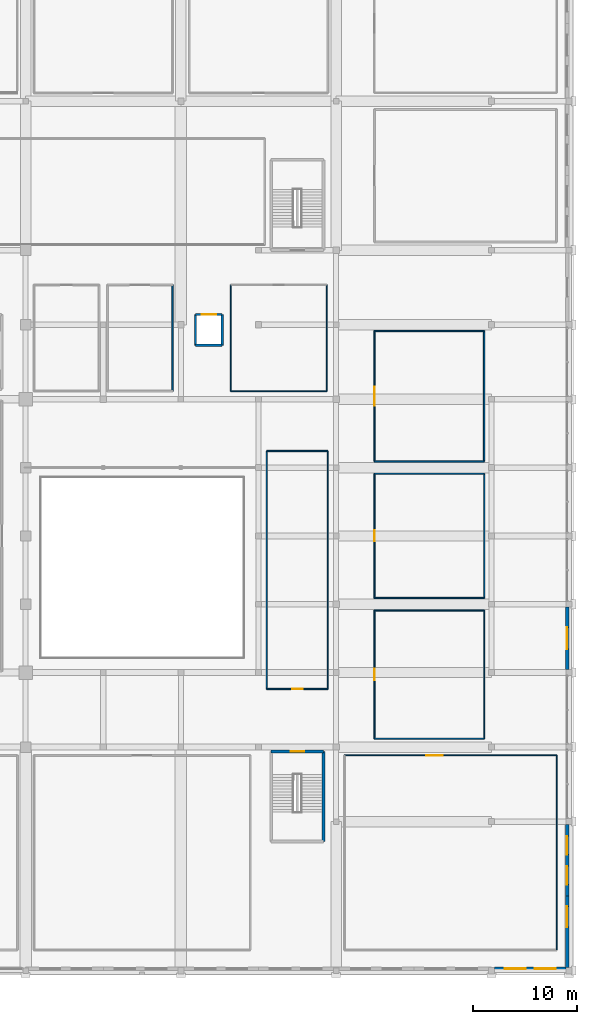
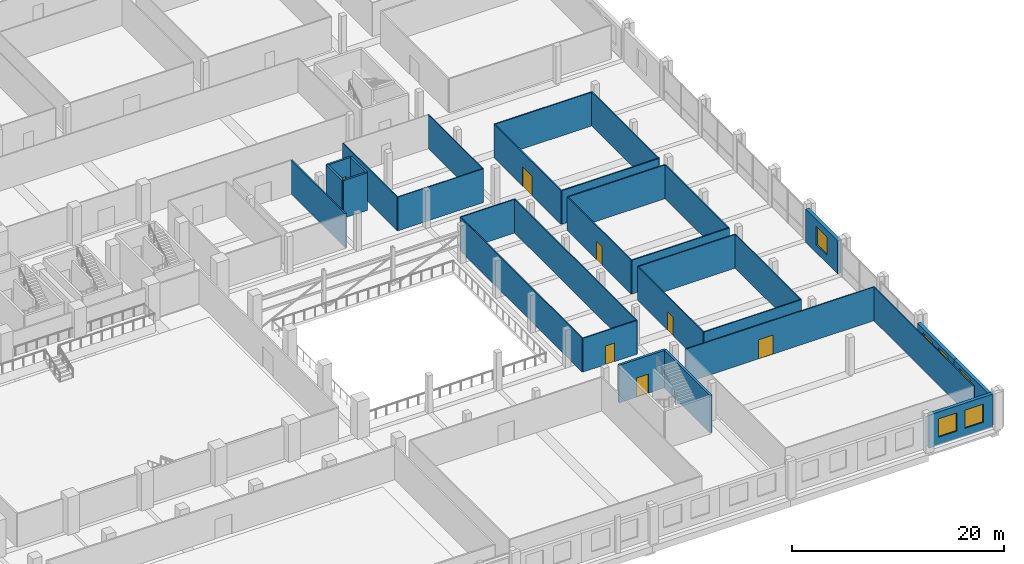
# One storey, part 53 of 68: 32 walls, 7 doors, 6 windows, 13 openings.
"""IFC4 building model written with IfcOpenShell, lengths in metres."""

from ifc_helpers import new_model, si_unit, direction, frame, frame_2d, origin, place, context, subcontext, project, spatial, rectangle, extrude, material, layer, layer_set, type_object, element, fill, save


model = new_model("IFC4")

# Units and contexts
model_context = context("Model", 3, precision=1e-05, world=origin(), true_north=direction((0.0, 1.0)))
body_context = subcontext(model_context, "Body", "Model", "MODEL_VIEW")
ifc_project = project(units=[si_unit("LENGTHUNIT", "METRE"), si_unit("AREAUNIT", "SQUARE_METRE"), si_unit("VOLUMEUNIT", "CUBIC_METRE"), si_unit("PLANEANGLEUNIT", "RADIAN"), si_unit("MASSUNIT", "GRAM", prefix="KILO")], contexts=[model_context])

# Site, building, storey
site_placement = place(None, origin())
site = spatial("IfcSite", under=ifc_project, at=site_placement, CompositionType="ELEMENT")
building_placement = place(site_placement, origin())
building = spatial("IfcBuilding", under=site, at=building_placement, Name="Akrevak Sports Hall", CompositionType="ELEMENT")
storey_placement = place(building_placement, frame((0.0, 0.0, 9.39990234375)))
storey = spatial("IfcBuildingStorey", under=building, at=storey_placement, Name="L02", CompositionType="ELEMENT", Elevation=9.39990234375)

# Wall, openings, windows
ifc_material_1 = material(Name="Limestone Ashlar", Category="stone")
ifc_layer_1 = layer(ifc_material_1, 0.080078125, Name="Limestone Ashlar")
ifc_material_2 = material(Name="Mineral Wool Thermal Insulation", Category="insulation")
ifc_layer_2 = layer(ifc_material_2, 0.10009765625, Name="Mineral Wool Thermal Insulation")
ifc_material_3 = material(Name="Concrete C40/50", Category="concrete")
ifc_layer_3 = layer(ifc_material_3, 0.179931640625, Name="Concrete C40/50")
ifc_layer_set_1 = layer_set([ifc_layer_1, ifc_layer_2, ifc_layer_3], Name="Limestone Ashlar / Mineral Wool Thermal Insulation / Concrete C40/50")
wall_type_1 = type_object("IfcWallType", Name="ARC-WL-EXT-360", PredefinedType="SOLIDWALL", material=ifc_layer_set_1)
wall_1_placement = place(storey_placement, frame((160.800048828125, 0.179931640625, 0.0), z_axis=(0.0, 0.0, 1.0), x_axis=(1.0, 0.0, 0.0)))
wall_1 = element("IfcWall", 1, at=wall_1_placement, inside=storey, type_object=wall_type_1, Name="Exterior Limestone Wall L02-S20", PredefinedType="SOLIDWALL", context=body_context, shape_type="SweptSolid", body=[
    extrude(rectangle(XDim=6.89990234375, YDim=0.360107421875, at=frame_2d((3.449951171875, 0.0))), origin(), (0.0, 0.0, 1.0), 3.820068359375),
])
opening_1_placement = place(wall_1_placement, frame((1.0009765625, 0.0, 0.919921875)))
opening_1 = element("IfcOpeningElement", 2, at=opening_1_placement, cuts=wall_1, Name="Opening WN-36", PredefinedType="OPENING", context=body_context, shape_type="SweptSolid", body=[
    extrude(rectangle(XDim=2.0, YDim=2.10009765625, at=frame_2d((1.0, 1.050048828125))), frame((0.0, 0.19189453125, 0.0), z_axis=(0.0, -1.0, 0.0), x_axis=(1.0, 0.0, 0.0)), (0.0, 0.0, 1.0), 0.384033203125),
])
opening_2_placement = place(wall_1_placement, frame((3.89892578125, 0.0, 0.919921875)))
opening_2 = element("IfcOpeningElement", 3, at=opening_2_placement, cuts=wall_1, Name="Opening WN-36", PredefinedType="OPENING", context=body_context, shape_type="SweptSolid", body=[
    extrude(rectangle(XDim=2.0, YDim=2.10009765625, at=frame_2d((1.0, 1.050048828125))), frame((0.0, 0.19189453125, 0.0), z_axis=(0.0, -1.0, 0.0), x_axis=(1.0, 0.0, 0.0)), (0.0, 0.0, 1.0), 0.384033203125),
])
ifc_material_4 = material(Name="Thermally Broken Bronze Frame & Double Low-E Glass", Category="glass")
window_type_1 = type_object("IfcWindowType", Name="ARC-WIN-SZ-2000x2100", PartitioningType="SINGLE_PANEL", PredefinedType="WINDOW", material=ifc_material_4)
window_1_placement = place(opening_1_placement, origin())
window_1 = element("IfcWindow", 4, at=window_1_placement, inside=storey, type_object=window_type_1, Name="Beaux-Arts Facade Window WIN-L02-S20-1", OverallHeight=2.10009765625, OverallWidth=2.0, PartitioningType="SINGLE_PANEL", PredefinedType="WINDOW", context=body_context, shape_type="SweptSolid", body=[
    extrude(rectangle(XDim=2.0, YDim=2.10009765625, at=frame_2d((1.0, 1.050048828125))), frame((0.0, 0.030029296875, 0.0), z_axis=(0.0, -1.0, 0.0), x_axis=(1.0, 0.0, 0.0)), (0.0, 0.0, 1.0), 0.06005859375),
])
fill(opening_1, window_1)
window_2_placement = place(opening_2_placement, origin())
window_2 = element("IfcWindow", 5, at=window_2_placement, inside=storey, type_object=window_type_1, Name="Beaux-Arts Facade Window WIN-L02-S20-2", OverallHeight=2.10009765625, OverallWidth=2.0, PartitioningType="SINGLE_PANEL", PredefinedType="WINDOW", context=body_context, shape_type="SweptSolid", body=[
    extrude(rectangle(XDim=2.0, YDim=2.10009765625, at=frame_2d((1.0, 1.050048828125))), frame((0.0, 0.030029296875, 0.0), z_axis=(0.0, -1.0, 0.0), x_axis=(1.0, 0.0, 0.0)), (0.0, 0.0, 1.0), 0.06005859375),
])
fill(opening_2, window_2)

# Wall, opening, window
wall_2_placement = place(storey_placement, frame((167.820068359375, 0.300048828125, 0.0), z_axis=(0.0, 0.0, 1.0), x_axis=(0.0, 1.0, 0.0)))
wall_2 = element("IfcWall", 6, at=wall_2_placement, inside=storey, type_object=wall_type_1, Name="Exterior Limestone Wall L02-E01", PredefinedType="SOLIDWALL", context=body_context, shape_type="SweptSolid", body=[
    extrude(rectangle(XDim=6.89990234375, YDim=0.360107421875, at=frame_2d((3.449951171875, 0.0))), origin(), (0.0, 0.0, 1.0), 3.4501953125),
])
opening_3_placement = place(wall_2_placement, frame((3.89892578125, 0.0, 0.919921875)))
opening_3 = element("IfcOpeningElement", 7, at=opening_3_placement, cuts=wall_2, Name="Opening WN-36", PredefinedType="OPENING", context=body_context, shape_type="SweptSolid", body=[
    extrude(rectangle(XDim=2.0, YDim=2.10009765625, at=frame_2d((1.0, 1.050048828125))), frame((0.0, 0.19189453125, 0.0), z_axis=(0.0, -1.0, 0.0), x_axis=(1.0, 0.0, 0.0)), (0.0, 0.0, 1.0), 0.384033203125),
])
window_3_placement = place(opening_3_placement, origin())
window_3 = element("IfcWindow", 8, at=window_3_placement, inside=storey, type_object=window_type_1, Name="Beaux-Arts Facade Window WIN-L02-E01-2", OverallHeight=2.10009765625, OverallWidth=2.0, PartitioningType="SINGLE_PANEL", PredefinedType="WINDOW", context=body_context, shape_type="SweptSolid", body=[
    extrude(rectangle(XDim=2.0, YDim=2.10009765625, at=frame_2d((1.0, 1.050048828125))), frame((0.0, 0.030029296875, 0.0), z_axis=(0.0, -1.0, 0.0), x_axis=(1.0, 0.0, 0.0)), (0.0, 0.0, 1.0), 0.06005859375),
])
fill(opening_3, window_3)

# Wall, openings, windows
wall_3_placement = place(storey_placement, frame((167.820068359375, 7.199951171875, 0.0), z_axis=(0.0, 0.0, 1.0), x_axis=(0.0, 1.0, 0.0)))
wall_3 = element("IfcWall", 9, at=wall_3_placement, inside=storey, type_object=wall_type_1, Name="Exterior Limestone Wall L02-E02", PredefinedType="SOLIDWALL", context=body_context, shape_type="SweptSolid", body=[
    extrude(rectangle(XDim=6.900146484375, YDim=0.360107421875, at=frame_2d((3.4501953125, 0.0))), origin(), (0.0, 0.0, 1.0), 3.4501953125),
])
opening_4_placement = place(wall_3_placement, frame((1.10107421875, 0.0, 0.919921875)))
opening_4 = element("IfcOpeningElement", 10, at=opening_4_placement, cuts=wall_3, Name="Opening WN-37", PredefinedType="OPENING", context=body_context, shape_type="SweptSolid", body=[
    extrude(rectangle(XDim=1.800048828125, YDim=2.10009765625, at=frame_2d((0.89990234375, 1.050048828125))), frame((0.0, 0.19189453125, 0.0), z_axis=(0.0, -1.0, 0.0), x_axis=(1.0, 0.0, 0.0)), (0.0, 0.0, 1.0), 0.384033203125),
])
opening_5_placement = place(wall_3_placement, frame((3.9990234375, 0.0, 0.919921875)))
opening_5 = element("IfcOpeningElement", 11, at=opening_5_placement, cuts=wall_3, Name="Opening WN-37", PredefinedType="OPENING", context=body_context, shape_type="SweptSolid", body=[
    extrude(rectangle(XDim=1.800048828125, YDim=2.10009765625, at=frame_2d((0.89990234375, 1.050048828125))), frame((0.0, 0.19189453125, 0.0), z_axis=(0.0, -1.0, 0.0), x_axis=(1.0, 0.0, 0.0)), (0.0, 0.0, 1.0), 0.384033203125),
])
window_type_2 = type_object("IfcWindowType", Name="ARC-WIN-SZ-1800x2100", PartitioningType="SINGLE_PANEL", PredefinedType="WINDOW", material=ifc_material_4)
window_4_placement = place(opening_4_placement, origin())
window_4 = element("IfcWindow", 12, at=window_4_placement, inside=storey, type_object=window_type_2, Name="Beaux-Arts Facade Window WIN-L02-E02-1", OverallHeight=2.10009765625, OverallWidth=1.800048828125, PartitioningType="SINGLE_PANEL", PredefinedType="WINDOW", context=body_context, shape_type="SweptSolid", body=[
    extrude(rectangle(XDim=1.800048828125, YDim=2.10009765625, at=frame_2d((0.89990234375, 1.050048828125))), frame((0.0, 0.030029296875, 0.0), z_axis=(0.0, -1.0, 0.0), x_axis=(1.0, 0.0, 0.0)), (0.0, 0.0, 1.0), 0.06005859375),
])
fill(opening_4, window_4)
window_5_placement = place(opening_5_placement, origin())
window_5 = element("IfcWindow", 13, at=window_5_placement, inside=storey, type_object=window_type_2, Name="Beaux-Arts Facade Window WIN-L02-E02-2", OverallHeight=2.10009765625, OverallWidth=1.800048828125, PartitioningType="SINGLE_PANEL", PredefinedType="WINDOW", context=body_context, shape_type="SweptSolid", body=[
    extrude(rectangle(XDim=1.800048828125, YDim=2.10009765625, at=frame_2d((0.89990234375, 1.050048828125))), frame((0.0, 0.030029296875, 0.0), z_axis=(0.0, -1.0, 0.0), x_axis=(1.0, 0.0, 0.0)), (0.0, 0.0, 1.0), 0.06005859375),
])
fill(opening_5, window_5)

# Wall, opening, window
wall_4_placement = place(storey_placement, frame((167.820068359375, 29.10009765625, 0.0), z_axis=(0.0, 0.0, 1.0), x_axis=(0.0, 1.0, 0.0)))
wall_4 = element("IfcWall", 14, at=wall_4_placement, inside=storey, type_object=wall_type_1, Name="Exterior Limestone Wall L02-E05", PredefinedType="SOLIDWALL", context=body_context, shape_type="SweptSolid", body=[
    extrude(rectangle(XDim=6.02490234375, YDim=0.360107421875, at=frame_2d((3.012451171875, 0.0))), origin(), (0.0, 0.0, 1.0), 3.820068359375),
])
opening_6_placement = place(wall_4_placement, frame((1.96240234375, 0.0, 0.919921875)))
opening_6 = element("IfcOpeningElement", 15, at=opening_6_placement, cuts=wall_4, Name="Opening WN-40", PredefinedType="OPENING", context=body_context, shape_type="SweptSolid", body=[
    extrude(rectangle(XDim=2.10009765625, YDim=2.10009765625, at=frame_2d((1.050048828125, 1.050048828125))), frame((0.0, 0.19189453125, 0.0), z_axis=(0.0, -1.0, 0.0), x_axis=(1.0, 0.0, 0.0)), (0.0, 0.0, 1.0), 0.384033203125),
])
window_type_3 = type_object("IfcWindowType", Name="ARC-WIN-SZ-2100x2100", PartitioningType="SINGLE_PANEL", PredefinedType="WINDOW", material=ifc_material_4)
window_6_placement = place(opening_6_placement, origin())
window_6 = element("IfcWindow", 16, at=window_6_placement, inside=storey, type_object=window_type_3, Name="Beaux-Arts Facade Window WIN-L02-E05", OverallHeight=2.10009765625, OverallWidth=2.10009765625, PartitioningType="SINGLE_PANEL", PredefinedType="WINDOW", context=body_context, shape_type="SweptSolid", body=[
    extrude(rectangle(XDim=2.10009765625, YDim=2.10009765625, at=frame_2d((1.050048828125, 1.050048828125))), frame((0.0, 0.030029296875, 0.0), z_axis=(0.0, -1.0, 0.0), x_axis=(1.0, 0.0, 0.0)), (0.0, 0.0, 1.0), 0.06005859375),
])
fill(opening_6, window_6)

# Walls
ifc_material_5 = material(Name="Sanitary Cubicle Partition", Category="gypsum")
ifc_layer_4 = layer(ifc_material_5, 0.10009765625, Name="Sanitary Cubicle Partition")
ifc_layer_set_2 = layer_set([ifc_layer_4], Name="Sanitary Cubicle Partition")
wall_type_2 = type_object("IfcWallType", Name="ARC-WL-PRT-100", PredefinedType="PARTITIONING", material=ifc_layer_set_2)
wall_5_placement = place(storey_placement, frame((135.300048828125, 56.0, 0.0), z_axis=(0.0, 0.0, 1.0), x_axis=(1.0, 0.0, 0.0)))
element("IfcWall", 17, at=wall_5_placement, inside=storey, type_object=wall_type_2, Name="Interior Partition Match Delegates & Referees Office L02 (S)", PredefinedType="PARTITIONING", context=body_context, shape_type="SweptSolid", body=[
    extrude(rectangle(XDim=9.300048828125, YDim=0.10009765625, at=frame_2d((4.64990234375, 0.0))), origin(), (0.0, 0.0, 1.0), 3.880126953125),
])
for number, where, z_axis, x_axis, name in (
    (18, (135.300048828125, 56.0, 0.0), (0.0, 0.0, 1.0), (0.0, 1.0, 0.0), "Interior Partition Match Delegates & Referees Office L02 (W)"),
    (19, (144.60009765625, 56.0, 0.0), (0.0, 0.0, 1.0), (0.0, 1.0, 0.0), "Interior Partition Match Delegates & Referees Office L02 (E)"),
):
    element("IfcWall", number, at=place(storey_placement, frame(where, z_axis=z_axis, x_axis=x_axis)), inside=storey, type_object=wall_type_2, Name=name, PredefinedType="PARTITIONING", context=body_context, shape_type="SweptSolid", body=[
        extrude(rectangle(XDim=10.25, YDim=0.10009765625, at=frame_2d((5.125, 0.0))), origin(), (0.0, 0.0, 1.0), 3.880126953125),
    ])
ifc_material_6 = material(Name="Lightweight Office Partition", Category="gypsum")
ifc_layer_5 = layer(ifc_material_6, 0.110107421875, Name="Lightweight Office Partition")
ifc_layer_set_3 = layer_set([ifc_layer_5], Name="Lightweight Office Partition")
wall_type_3 = type_object("IfcWallType", Name="ARC-WL-PRT-110", PredefinedType="PARTITIONING", material=ifc_layer_set_3)
for number, where, z_axis, x_axis, name in (
    (20, (149.199951171875, 22.39990234375, 0.0), (0.0, 0.0, 1.0), (1.0, 0.0, 0.0), "Interior Partition East Wing Sports Physiotherapy Room L02-1 (S)"),
    (21, (149.199951171875, 34.800048828125, 0.0), (0.0, 0.0, 1.0), (1.0, 0.0, 0.0), "Interior Partition East Wing Sports Physiotherapy Room L02-1 (N)"),
):
    element("IfcWall", number, at=place(storey_placement, frame(where, z_axis=z_axis, x_axis=x_axis)), inside=storey, type_object=wall_type_3, Name=name, PredefinedType="PARTITIONING", context=body_context, shape_type="SweptSolid", body=[
        extrude(rectangle(XDim=10.60009765625, YDim=0.110107421875, at=frame_2d((5.300048828125, 0.0))), origin(), (0.0, 0.0, 1.0), 3.880126953125),
    ])

# Wall, opening, door
wall_6_placement = place(storey_placement, frame((149.199951171875, 22.39990234375, 0.0), z_axis=(0.0, 0.0, 1.0), x_axis=(0.0, 1.0, 0.0)))
wall_6 = element("IfcWall", 22, at=wall_6_placement, inside=storey, type_object=wall_type_3, Name="Interior Partition East Wing Sports Physiotherapy Room L02-1 (W)", PredefinedType="PARTITIONING", context=body_context, shape_type="SweptSolid", body=[
    extrude(rectangle(XDim=12.400146484375, YDim=0.110107421875, at=frame_2d((6.2001953125, 0.0))), origin(), (0.0, 0.0, 1.0), 3.880126953125),
])
opening_7_placement = place(wall_6_placement, frame((5.64990234375, 0.0, 0.0)))
opening_7 = element("IfcOpeningElement", 23, at=opening_7_placement, cuts=wall_6, Name="Opening ID-04", PredefinedType="OPENING", context=body_context, shape_type="SweptSolid", body=[
    extrude(rectangle(XDim=1.10009765625, YDim=2.14990234375, at=frame_2d((0.550048828125, 1.074951171875))), frame((0.0, 0.06689453125, 0.0), z_axis=(0.0, -1.0, 0.0), x_axis=(1.0, 0.0, 0.0)), (0.0, 0.0, 1.0), 0.134033203125),
])
ifc_material_7 = material(Name="Hardwood Oak Acoustic Leaf", Category="wood")
door_type_1 = type_object("IfcDoorType", Name="ARC-DR-OFF-110x215", OperationType="NOTDEFINED", PredefinedType="DOOR", material=ifc_material_7)
door_1_placement = place(opening_7_placement, origin())
door_1 = element("IfcDoor", 24, at=door_1_placement, inside=storey, type_object=door_type_1, Name="Door to East Wing Sports Physiotherapy Room L02-1", OperationType="SINGLE_SWING_LEFT", OverallHeight=2.14990234375, OverallWidth=1.10009765625, PredefinedType="DOOR", context=body_context, shape_type="SweptSolid", body=[
    extrude(rectangle(XDim=1.10009765625, YDim=2.14990234375, at=frame_2d((0.550048828125, 1.074951171875))), frame((0.0, 0.02490234375, 0.0), z_axis=(0.0, -1.0, 0.0), x_axis=(1.0, 0.0, 0.0)), (0.0, 0.0, 1.0), 0.050048828125),
])
fill(opening_7, door_1)

# Wall
wall_7_placement = place(storey_placement, frame((159.800048828125, 22.39990234375, 0.0), z_axis=(0.0, 0.0, 1.0), x_axis=(0.0, 1.0, 0.0)))
element("IfcWall", 25, at=wall_7_placement, inside=storey, type_object=wall_type_3, Name="Interior Partition East Wing Sports Physiotherapy Room L02-1 (E)", PredefinedType="PARTITIONING", context=body_context, shape_type="SweptSolid", body=[
    extrude(rectangle(XDim=12.400146484375, YDim=0.110107421875, at=frame_2d((6.2001953125, 0.0))), origin(), (0.0, 0.0, 1.0), 3.880126953125),
])

# Wall, opening, door
wall_8_placement = place(storey_placement, frame((146.300048828125, 20.800048828125, 0.0), z_axis=(0.0, 0.0, 1.0), x_axis=(1.0, 0.0, 0.0)))
wall_8 = element("IfcWall", 26, at=wall_8_placement, inside=storey, type_object=wall_type_3, Name="Interior Partition South-East Sports Academy Office L02 (N)", PredefinedType="PARTITIONING", context=body_context, shape_type="SweptSolid", body=[
    extrude(rectangle(XDim=20.5, YDim=0.110107421875, at=frame_2d((10.25, 0.0))), origin(), (0.0, 0.0, 1.0), 3.880126953125),
])
opening_8_placement = place(wall_8_placement, frame((7.89990234375, 0.0, 0.0)))
opening_8 = element("IfcOpeningElement", 27, at=opening_8_placement, cuts=wall_8, Name="Opening ID-03", PredefinedType="OPENING", context=body_context, shape_type="SweptSolid", body=[
    extrude(rectangle(XDim=1.60009765625, YDim=2.199951171875, at=frame_2d((0.800048828125, 1.10009765625))), frame((0.0, 0.06689453125, 0.0), z_axis=(0.0, -1.0, 0.0), x_axis=(1.0, 0.0, 0.0)), (0.0, 0.0, 1.0), 0.134033203125),
])
ifc_material_8 = material(Name="Hardwood Oak & Safety Glass", Category="wood")
door_type_2 = type_object("IfcDoorType", Name="ARC-DR-HALL-160x220", OperationType="DOUBLE_DOOR_SINGLE_SWING", PredefinedType="DOOR", material=ifc_material_8)
door_2_placement = place(opening_8_placement, origin())
door_2 = element("IfcDoor", 28, at=door_2_placement, inside=storey, type_object=door_type_2, Name="Door to South-East Sports Academy Office L02", OperationType="DOUBLE_DOOR_SINGLE_SWING", OverallHeight=2.199951171875, OverallWidth=1.60009765625, PredefinedType="DOOR", context=body_context, shape_type="SweptSolid", body=[
    extrude(rectangle(XDim=1.60009765625, YDim=2.199951171875, at=frame_2d((0.800048828125, 1.10009765625))), frame((0.0, 0.02490234375, 0.0), z_axis=(0.0, -1.0, 0.0), x_axis=(1.0, 0.0, 0.0)), (0.0, 0.0, 1.0), 0.050048828125),
])
fill(opening_8, door_2)

# Walls
wall_9_placement = place(storey_placement, frame((166.800048828125, 2.0, 0.0), z_axis=(0.0, 0.0, 1.0), x_axis=(0.0, 1.0, 0.0)))
element("IfcWall", 29, at=wall_9_placement, inside=storey, type_object=wall_type_3, Name="Interior Partition South-East Sports Academy Office L02 (E)", PredefinedType="PARTITIONING", context=body_context, shape_type="SweptSolid", body=[
    extrude(rectangle(XDim=18.800048828125, YDim=0.110107421875, at=frame_2d((9.39990234375, 0.0))), origin(), (0.0, 0.0, 1.0), 3.880126953125),
])
ifc_material_9 = material(Name="Standard Metal Stud Partition", Category="gypsum")
ifc_layer_6 = layer(ifc_material_9, 0.1201171875, Name="Standard Metal Stud Partition")
ifc_layer_set_4 = layer_set([ifc_layer_6], Name="Standard Metal Stud Partition")
wall_type_4 = type_object("IfcWallType", Name="ARC-WL-PRT-120", PredefinedType="PARTITIONING", material=ifc_layer_set_4)
for number, where, z_axis, x_axis, name in (
    (30, (149.199951171875, 36.0, 0.0), (0.0, 0.0, 1.0), (1.0, 0.0, 0.0), "Interior Partition East Wing Federation Office L02-2 (S)"),
    (31, (149.199951171875, 48.0, 0.0), (0.0, 0.0, 1.0), (1.0, 0.0, 0.0), "Interior Partition East Wing Federation Office L02-2 (N)"),
):
    element("IfcWall", number, at=place(storey_placement, frame(where, z_axis=z_axis, x_axis=x_axis)), inside=storey, type_object=wall_type_4, Name=name, PredefinedType="PARTITIONING", context=body_context, shape_type="SweptSolid", body=[
        extrude(rectangle(XDim=10.60009765625, YDim=0.1201171875, at=frame_2d((5.300048828125, 0.0))), origin(), (0.0, 0.0, 1.0), 3.880126953125),
    ])

# Wall, opening, door
wall_10_placement = place(storey_placement, frame((149.199951171875, 36.0, 0.0), z_axis=(0.0, 0.0, 1.0), x_axis=(0.0, 1.0, 0.0)))
wall_10 = element("IfcWall", 32, at=wall_10_placement, inside=storey, type_object=wall_type_4, Name="Interior Partition East Wing Federation Office L02-2 (W)", PredefinedType="PARTITIONING", context=body_context, shape_type="SweptSolid", body=[
    extrude(rectangle(XDim=12.0, YDim=0.1201171875, at=frame_2d((6.0, 0.0))), origin(), (0.0, 0.0, 1.0), 3.880126953125),
])
opening_9_placement = place(wall_10_placement, frame((5.47509765625, 0.0, 0.0)))
opening_9 = element("IfcOpeningElement", 33, at=opening_9_placement, cuts=wall_10, Name="Opening ID-05", PredefinedType="OPENING", context=body_context, shape_type="SweptSolid", body=[
    extrude(rectangle(XDim=1.050048828125, YDim=2.14990234375, at=frame_2d((0.52490234375, 1.074951171875))), frame((0.0, 0.072021484375, 0.0), z_axis=(0.0, -1.0, 0.0), x_axis=(1.0, 0.0, 0.0)), (0.0, 0.0, 1.0), 0.14404296875),
])
door_type_3 = type_object("IfcDoorType", Name="ARC-DR-OFF-105x215", OperationType="NOTDEFINED", PredefinedType="DOOR", material=ifc_material_7)
door_3_placement = place(opening_9_placement, frame((1.050048828125, 0.0, 0.0), z_axis=(0.0, 0.0, 1.0), x_axis=(-1.0, 0.0, 0.0)))
door_3 = element("IfcDoor", 34, at=door_3_placement, inside=storey, type_object=door_type_3, Name="Door to East Wing Federation Office L02-2", OperationType="SINGLE_SWING_RIGHT", OverallHeight=2.14990234375, OverallWidth=1.050048828125, PredefinedType="DOOR", context=body_context, shape_type="SweptSolid", body=[
    extrude(rectangle(XDim=1.050048828125, YDim=2.14990234375, at=frame_2d((0.52490234375, 1.074951171875))), frame((0.0, 0.02490234375, 0.0), z_axis=(0.0, -1.0, 0.0), x_axis=(1.0, 0.0, 0.0)), (0.0, 0.0, 1.0), 0.050048828125),
])
fill(opening_9, door_3)

# Wall
wall_11_placement = place(storey_placement, frame((159.800048828125, 36.0, 0.0), z_axis=(0.0, 0.0, 1.0), x_axis=(0.0, 1.0, 0.0)))
element("IfcWall", 35, at=wall_11_placement, inside=storey, type_object=wall_type_4, Name="Interior Partition East Wing Federation Office L02-2 (E)", PredefinedType="PARTITIONING", context=body_context, shape_type="SweptSolid", body=[
    extrude(rectangle(XDim=12.0, YDim=0.1201171875, at=frame_2d((6.0, 0.0))), origin(), (0.0, 0.0, 1.0), 3.880126953125),
])

# Wall, opening, door
wall_12_placement = place(storey_placement, frame((138.800048828125, 27.199951171875, 0.0), z_axis=(0.0, 0.0, 1.0), x_axis=(1.0, 0.0, 0.0)))
wall_12 = element("IfcWall", 36, at=wall_12_placement, inside=storey, type_object=wall_type_4, Name="Interior Partition East Coaching & Video Analysis Office L02 (S)", PredefinedType="PARTITIONING", context=body_context, shape_type="SweptSolid", body=[
    extrude(rectangle(XDim=5.89990234375, YDim=0.1201171875, at=frame_2d((2.949951171875, 0.0))), origin(), (0.0, 0.0, 1.0), 3.880126953125),
])
opening_10_placement = place(wall_12_placement, frame((2.449951171875, 0.0, 0.0)))
opening_10 = element("IfcOpeningElement", 37, at=opening_10_placement, cuts=wall_12, Name="Opening ID-06", PredefinedType="OPENING", context=body_context, shape_type="SweptSolid", body=[
    extrude(rectangle(XDim=1.0, YDim=2.14990234375, at=frame_2d((0.5, 1.074951171875))), frame((0.0, 0.072021484375, 0.0), z_axis=(0.0, -1.0, 0.0), x_axis=(1.0, 0.0, 0.0)), (0.0, 0.0, 1.0), 0.14404296875),
])
door_type_4 = type_object("IfcDoorType", Name="ARC-DR-OFF-100x215", OperationType="NOTDEFINED", PredefinedType="DOOR", material=ifc_material_7)
door_4_placement = place(opening_10_placement, origin())
door_4 = element("IfcDoor", 38, at=door_4_placement, inside=storey, type_object=door_type_4, Name="Door to East Coaching & Video Analysis Office L02", OperationType="SINGLE_SWING_LEFT", OverallHeight=2.14990234375, OverallWidth=1.0, PredefinedType="DOOR", context=body_context, shape_type="SweptSolid", body=[
    extrude(rectangle(XDim=1.0, YDim=2.14990234375, at=frame_2d((0.5, 1.074951171875))), frame((0.0, 0.02490234375, 0.0), z_axis=(0.0, -1.0, 0.0), x_axis=(1.0, 0.0, 0.0)), (0.0, 0.0, 1.0), 0.050048828125),
])
fill(opening_10, door_4)

# Walls
wall_13_placement = place(storey_placement, frame((138.800048828125, 50.199951171875, 0.0), z_axis=(0.0, 0.0, 1.0), x_axis=(1.0, 0.0, 0.0)))
element("IfcWall", 39, at=wall_13_placement, inside=storey, type_object=wall_type_4, Name="Interior Partition East Coaching & Video Analysis Office L02 (N)", PredefinedType="PARTITIONING", context=body_context, shape_type="SweptSolid", body=[
    extrude(rectangle(XDim=5.89990234375, YDim=0.1201171875, at=frame_2d((2.949951171875, 0.0))), origin(), (0.0, 0.0, 1.0), 3.880126953125),
])
for number, where, z_axis, x_axis, name in (
    (40, (138.800048828125, 27.199951171875, 0.0), (0.0, 0.0, 1.0), (0.0, 1.0, 0.0), "Interior Partition East Coaching & Video Analysis Office L02 (W)"),
    (41, (144.699951171875, 27.199951171875, 0.0), (0.0, 0.0, 1.0), (0.0, 1.0, 0.0), "Interior Partition East Coaching & Video Analysis Office L02 (E)"),
):
    element("IfcWall", number, at=place(storey_placement, frame(where, z_axis=z_axis, x_axis=x_axis)), inside=storey, type_object=wall_type_4, Name=name, PredefinedType="PARTITIONING", context=body_context, shape_type="SweptSolid", body=[
        extrude(rectangle(XDim=23.0, YDim=0.1201171875, at=frame_2d((11.5, 0.0))), origin(), (0.0, 0.0, 1.0), 3.880126953125),
    ])
ifc_material_10 = material(Name="Acoustic Metal Stud Partition", Category="gypsum")
ifc_layer_7 = layer(ifc_material_10, 0.1298828125, Name="Acoustic Metal Stud Partition")
ifc_layer_set_5 = layer_set([ifc_layer_7], Name="Acoustic Metal Stud Partition")
wall_type_5 = type_object("IfcWallType", Name="ARC-WL-PRT-130", PredefinedType="PARTITIONING", material=ifc_layer_set_5)
for number, where, z_axis, x_axis, name in (
    (42, (149.199951171875, 49.199951171875, 0.0), (0.0, 0.0, 1.0), (1.0, 0.0, 0.0), "Interior Partition East Wing Equipment Storage L02-3 (S)"),
    (43, (149.199951171875, 61.800048828125, 0.0), (0.0, 0.0, 1.0), (1.0, 0.0, 0.0), "Interior Partition East Wing Equipment Storage L02-3 (N)"),
):
    element("IfcWall", number, at=place(storey_placement, frame(where, z_axis=z_axis, x_axis=x_axis)), inside=storey, type_object=wall_type_5, Name=name, PredefinedType="PARTITIONING", context=body_context, shape_type="SweptSolid", body=[
        extrude(rectangle(XDim=10.60009765625, YDim=0.1298828125, at=frame_2d((5.300048828125, 0.0))), origin(), (0.0, 0.0, 1.0), 3.880126953125),
    ])

# Wall, opening, door
wall_14_placement = place(storey_placement, frame((149.199951171875, 49.199951171875, 0.0), z_axis=(0.0, 0.0, 1.0), x_axis=(0.0, 1.0, 0.0)))
wall_14 = element("IfcWall", 44, at=wall_14_placement, inside=storey, type_object=wall_type_5, Name="Interior Partition East Wing Equipment Storage L02-3 (W)", PredefinedType="PARTITIONING", context=body_context, shape_type="SweptSolid", body=[
    extrude(rectangle(XDim=12.60009765625, YDim=0.1298828125, at=frame_2d((6.300048828125, 0.0))), origin(), (0.0, 0.0, 1.0), 3.880126953125),
])
opening_11_placement = place(wall_14_placement, frame((5.39990234375, 0.0, 0.0)))
opening_11 = element("IfcOpeningElement", 45, at=opening_11_placement, cuts=wall_14, Name="Opening ID-02", PredefinedType="OPENING", context=body_context, shape_type="SweptSolid", body=[
    extrude(rectangle(XDim=1.800048828125, YDim=2.25, at=frame_2d((0.89990234375, 1.125))), frame((0.0, 0.076904296875, 0.0), z_axis=(0.0, -1.0, 0.0), x_axis=(1.0, 0.0, 0.0)), (0.0, 0.0, 1.0), 0.15380859375),
])
door_type_5 = type_object("IfcDoorType", Name="ARC-DR-HALL-180x225", OperationType="DOUBLE_DOOR_SINGLE_SWING", PredefinedType="DOOR", material=ifc_material_8)
door_5_placement = place(opening_11_placement, origin())
door_5 = element("IfcDoor", 46, at=door_5_placement, inside=storey, type_object=door_type_5, Name="Door to East Wing Equipment Storage L02-3", OperationType="DOUBLE_DOOR_SINGLE_SWING", OverallHeight=2.25, OverallWidth=1.800048828125, PredefinedType="DOOR", context=body_context, shape_type="SweptSolid", body=[
    extrude(rectangle(XDim=1.800048828125, YDim=2.25, at=frame_2d((0.89990234375, 1.125))), frame((0.0, 0.02490234375, 0.0), z_axis=(0.0, -1.0, 0.0), x_axis=(1.0, 0.0, 0.0)), (0.0, 0.0, 1.0), 0.050048828125),
])
fill(opening_11, door_5)

# Walls
wall_15_placement = place(storey_placement, frame((159.800048828125, 49.199951171875, 0.0), z_axis=(0.0, 0.0, 1.0), x_axis=(0.0, 1.0, 0.0)))
element("IfcWall", 47, at=wall_15_placement, inside=storey, type_object=wall_type_5, Name="Interior Partition East Wing Equipment Storage L02-3 (E)", PredefinedType="PARTITIONING", context=body_context, shape_type="SweptSolid", body=[
    extrude(rectangle(XDim=12.60009765625, YDim=0.1298828125, at=frame_2d((6.300048828125, 0.0))), origin(), (0.0, 0.0, 1.0), 3.880126953125),
])
ifc_material_11 = material(Name="Double Stud Acoustic Gypsum Partition", Category="gypsum")
ifc_layer_8 = layer(ifc_material_11, 0.14990234375, Name="Double Stud Acoustic Gypsum Partition")
ifc_layer_set_6 = layer_set([ifc_layer_8], Name="Double Stud Acoustic Gypsum Partition")
wall_type_6 = type_object("IfcWallType", Name="ARC-WL-PRT-150", PredefinedType="PARTITIONING", material=ifc_layer_set_6)
wall_16_placement = place(storey_placement, frame((129.699951171875, 56.0, 0.0), z_axis=(0.0, 0.0, 1.0), x_axis=(0.0, 1.0, 0.0)))
element("IfcWall", 48, at=wall_16_placement, inside=storey, type_object=wall_type_6, Name="Interior Partition Upper Apparatus Storage L02 (E)", PredefinedType="PARTITIONING", context=body_context, shape_type="SweptSolid", body=[
    extrude(rectangle(XDim=10.25, YDim=0.14990234375, at=frame_2d((5.125, 0.0))), origin(), (0.0, 0.0, 1.0), 3.880126953125),
])
ifc_material_12 = material(Name="Concrete C50/60", Category="concrete")
ifc_layer_9 = layer(ifc_material_12, 0.219970703125, Name="Concrete C50/60")
ifc_layer_set_7 = layer_set([ifc_layer_9], Name="Concrete C50/60")
wall_type_7 = type_object("IfcWallType", Name="ARC-WL-SHAFT-220", PredefinedType="SHEAR", material=ifc_layer_set_7)
wall_17_placement = place(storey_placement, frame((131.909912109375, 60.409912109375, 0.0), z_axis=(0.0, 0.0, 1.0), x_axis=(1.0, 0.0, 0.0)))
element("IfcWall", 49, at=wall_17_placement, inside=storey, type_object=wall_type_7, Name="Lift Shaft LF-S1 Wall S (L02)", PredefinedType="SHEAR", context=body_context, shape_type="SweptSolid", body=[
    extrude(rectangle(XDim=2.580078125, YDim=0.219970703125, at=frame_2d((1.2900390625, 0.0))), origin(), (0.0, 0.0, 1.0), 4.320068359375),
])

# Wall, opening, door
wall_18_placement = place(storey_placement, frame((134.489990234375, 63.389892578125, 0.0), z_axis=(0.0, 0.0, 1.0), x_axis=(-1.0, 0.0, 0.0)))
wall_18 = element("IfcWall", 50, at=wall_18_placement, inside=storey, type_object=wall_type_7, Name="Lift Shaft LF-S1 Wall N (L02)", PredefinedType="SHEAR", context=body_context, shape_type="SweptSolid", body=[
    extrude(rectangle(XDim=2.580078125, YDim=0.219970703125, at=frame_2d((1.2900390625, 0.0))), origin(), (0.0, 0.0, 1.0), 4.320068359375),
])
opening_12_placement = place(wall_18_placement, frame((0.590087890625, 0.0, 0.0)))
opening_12 = element("IfcOpeningElement", 51, at=opening_12_placement, cuts=wall_18, Name="Opening LD-03", PredefinedType="OPENING", context=body_context, shape_type="SweptSolid", body=[
    extrude(rectangle(XDim=1.39990234375, YDim=2.300048828125, at=frame_2d((0.699951171875, 1.14990234375))), frame((0.0, 0.1220703125, 0.0), z_axis=(0.0, -1.0, 0.0), x_axis=(1.0, 0.0, 0.0)), (0.0, 0.0, 1.0), 0.243896484375),
])
ifc_material_13 = material(Name="Brushed Stainless Steel 304", Category="steel")
door_type_6 = type_object("IfcDoorType", Name="ARC-DR-LD-140x230", OperationType="SLIDING_TO_LEFT", PredefinedType="DOOR", material=ifc_material_13)
door_6_placement = place(opening_12_placement, origin())
door_6 = element("IfcDoor", 52, at=door_6_placement, inside=storey, type_object=door_type_6, Name="Lift LF-S1 Sliding Landing Door (L02)", OperationType="SLIDING_TO_LEFT", OverallHeight=2.300048828125, OverallWidth=1.39990234375, PredefinedType="DOOR", context=body_context, shape_type="SweptSolid", body=[
    extrude(rectangle(XDim=1.39990234375, YDim=2.300048828125, at=frame_2d((0.699951171875, 1.14990234375))), frame((0.0, 0.02490234375, 0.0), z_axis=(0.0, -1.0, 0.0), x_axis=(1.0, 0.0, 0.0)), (0.0, 0.0, 1.0), 0.050048828125),
])
fill(opening_12, door_6)

# Walls
for number, where, z_axis, x_axis, name in (
    (53, (131.909912109375, 63.389892578125, 0.0), (0.0, 0.0, 1.0), (0.0, -1.0, 0.0), "Lift Shaft LF-S1 Wall W (L02)"),
    (54, (134.489990234375, 60.409912109375, 0.0), (0.0, 0.0, 1.0), (0.0, 1.0, 0.0), "Lift Shaft LF-S1 Wall E (L02)"),
):
    element("IfcWall", number, at=place(storey_placement, frame(where, z_axis=z_axis, x_axis=x_axis)), inside=storey, type_object=wall_type_7, Name=name, PredefinedType="SHEAR", context=body_context, shape_type="SweptSolid", body=[
        extrude(rectangle(XDim=2.97998046875, YDim=0.219970703125, at=frame_2d((1.489990234375, 0.0))), origin(), (0.0, 0.0, 1.0), 4.320068359375),
    ])

# Wall, opening, door
ifc_layer_10 = layer(ifc_material_12, 0.25, Name="Concrete C50/60")
ifc_layer_set_8 = layer_set([ifc_layer_10], Name="Concrete C50/60")
wall_type_8 = type_object("IfcWallType", Name="STR-WL-STAIR-250", PredefinedType="SHEAR", material=ifc_layer_set_8)
wall_19_placement = place(storey_placement, frame((144.27490234375, 21.175048828125, 0.0), z_axis=(0.0, 0.0, 1.0), x_axis=(-1.0, 0.0, 0.0)))
wall_19 = element("IfcWall", 55, at=wall_19_placement, inside=storey, type_object=wall_type_8, Name="Stair Core ST7 Shear Wall N (L02)", PredefinedType="SHEAR", context=body_context, shape_type="SweptSolid", body=[
    extrude(rectangle(XDim=5.0498046875, YDim=0.25, at=frame_2d((2.52490234375, 0.0))), origin(), (0.0, 0.0, 1.0), 4.320068359375),
])
opening_13_placement = place(wall_19_placement, frame((1.875, 0.0, 0.0)))
opening_13 = element("IfcOpeningElement", 56, at=opening_13_placement, cuts=wall_19, Name="Opening SD-01", PredefinedType="OPENING", context=body_context, shape_type="SweptSolid", body=[
    extrude(rectangle(XDim=1.300048828125, YDim=2.199951171875, at=frame_2d((0.64990234375, 1.10009765625))), frame((0.0, 0.136962890625, 0.0), z_axis=(0.0, -1.0, 0.0), x_axis=(1.0, 0.0, 0.0)), (0.0, 0.0, 1.0), 0.27392578125),
])
ifc_material_14 = material(Name="Fire-Rated Galvanized Door Steel", Category="steel")
door_type_7 = type_object("IfcDoorType", Name="ARC-DR-STAIR-130x220", OperationType="NOTDEFINED", PredefinedType="DOOR", material=ifc_material_14)
door_7_placement = place(opening_13_placement, origin())
door_7 = element("IfcDoor", 57, at=door_7_placement, inside=storey, type_object=door_type_7, Name="Exit Stair ST7 Door (L02)", OperationType="SINGLE_SWING_RIGHT", OverallHeight=2.199951171875, OverallWidth=1.300048828125, PredefinedType="DOOR", context=body_context, shape_type="SweptSolid", body=[
    extrude(rectangle(XDim=1.300048828125, YDim=2.199951171875, at=frame_2d((0.64990234375, 1.10009765625))), frame((0.0, 0.02490234375, 0.0), z_axis=(0.0, -1.0, 0.0), x_axis=(1.0, 0.0, 0.0)), (0.0, 0.0, 1.0), 0.050048828125),
])
fill(opening_13, door_7)

# Wall
wall_20_placement = place(storey_placement, frame((144.27490234375, 12.47509765625, 0.0), z_axis=(0.0, 0.0, 1.0), x_axis=(0.0, 1.0, 0.0)))
element("IfcWall", 58, at=wall_20_placement, inside=storey, type_object=wall_type_8, Name="Stair Core ST7 Shear Wall E (L02)", PredefinedType="SHEAR", context=body_context, shape_type="SweptSolid", body=[
    extrude(rectangle(XDim=8.699951171875, YDim=0.25, at=frame_2d((4.35009765625, 0.0))), origin(), (0.0, 0.0, 1.0), 4.320068359375),
])

save(model, "model.ifc")
